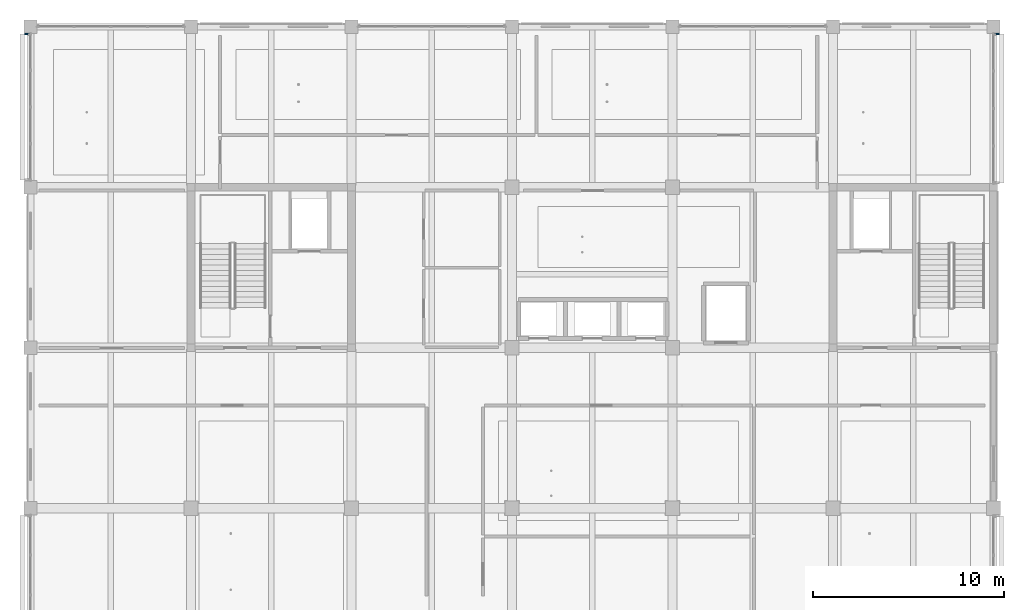
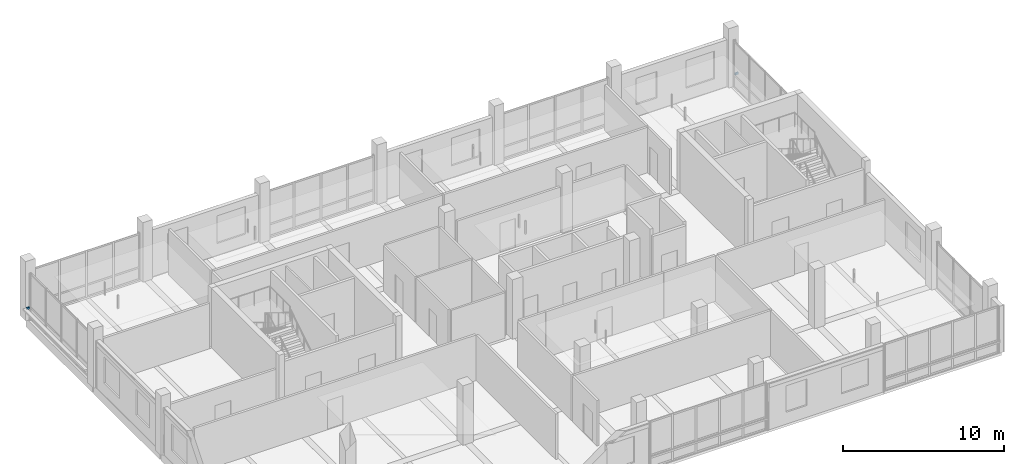
# One storey, part 21 of 35: 2 discrete accessories.
"""IFC4 building model written with IfcOpenShell, lengths in metres."""

from ifc_helpers import new_model, si_unit, direction, frame, origin, origin_2d, place, context, subcontext, project, spatial, rectangle, extrude, material, type_object, element, save


model = new_model("IFC4")

# Units and contexts
model_context = context("Model", 3, precision=1e-05, world=origin(), true_north=direction((0.0, 1.0)))
body_context = subcontext(model_context, "Body", "Model", "MODEL_VIEW")
ifc_project = project(units=[si_unit("LENGTHUNIT", "METRE"), si_unit("AREAUNIT", "SQUARE_METRE"), si_unit("VOLUMEUNIT", "CUBIC_METRE"), si_unit("PLANEANGLEUNIT", "RADIAN"), si_unit("MASSUNIT", "GRAM", prefix="KILO")], contexts=[model_context])

# Site, building, storey
site_placement = place(None, origin())
site = spatial("IfcSite", under=ifc_project, at=site_placement, CompositionType="ELEMENT")
building_placement = place(site_placement, origin())
building = spatial("IfcBuilding", under=site, at=building_placement, Name="Telukmera Botanical Conservatory", CompositionType="ELEMENT")
storey_placement = place(building_placement, frame((0.0, 0.0, 46.5)))
storey = spatial("IfcBuildingStorey", under=building, at=storey_placement, Name="L10", CompositionType="ELEMENT", Elevation=46.5)

# Discrete accessories
ifc_material = material(Name="Steel S355", Category="steel")
discrete_accessory_type = type_object("IfcDiscreteAccessoryType", Name="Structural Steel Facade Outrigger Fin Bracket", PredefinedType="BRACKET", material=ifc_material)
for number, where, z_axis, x_axis, name in (
    (1, (50.2099609375, 42.41796875, 0.8798828125), (0.0, 0.0, 1.0), (0.0, 1.0, 0.0), "Facade Outrigger Bracket V4:L10:W4 B"),
    (2, (100.989990234375, 42.41796875, 0.8798828125), (0.0, 0.0, 1.0), (0.0, 1.0, 0.0), "Facade Outrigger Bracket V4:L10:E4 B"),
):
    element("IfcDiscreteAccessory", number, at=place(storey_placement, frame(where, z_axis=z_axis, x_axis=x_axis)), inside=storey, type_object=discrete_accessory_type, Name=name, PredefinedType="BRACKET", context=body_context, shape_type="SweptSolid", body=[
        extrude(rectangle(XDim=0.10009765625, YDim=0.239990234375, at=origin_2d()), origin(), (0.0, 0.0, 1.0), 0.139892578125),
    ])

save(model, "model.ifc")
